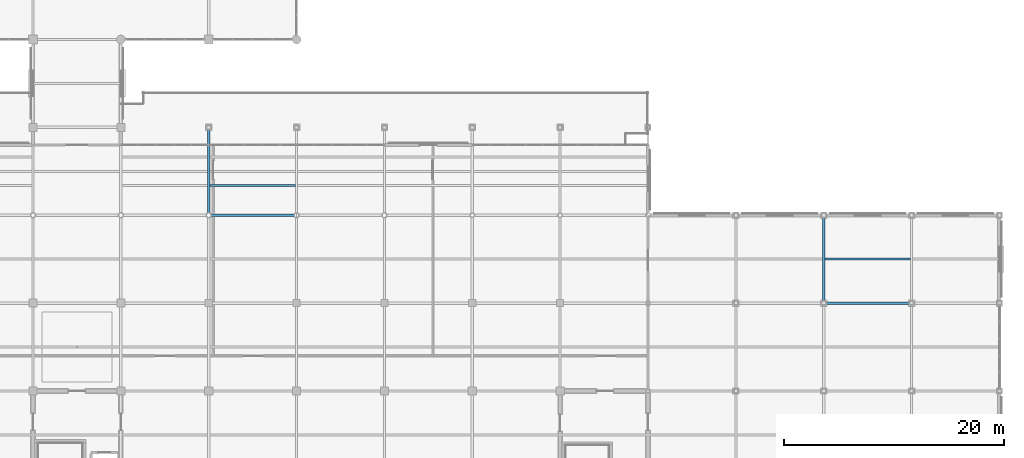
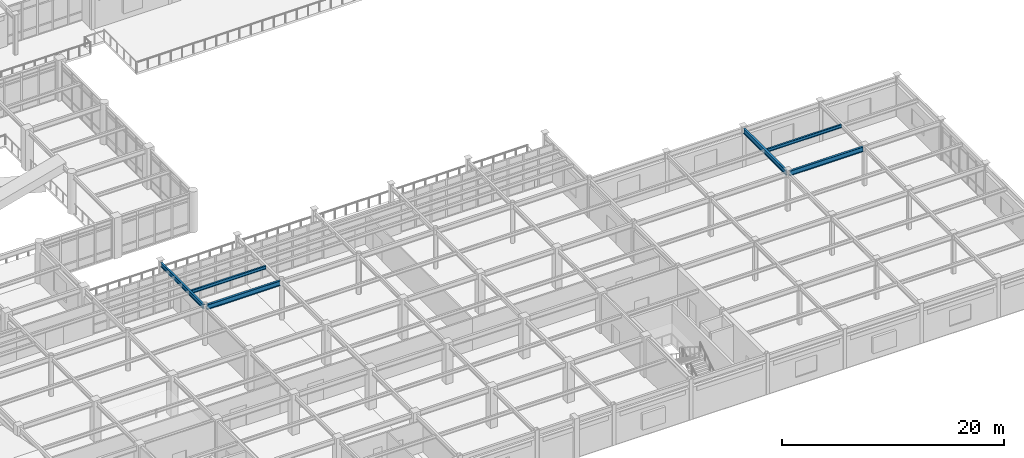
# One storey, part 26 of 111: 6 beams.
"""IFC4 building model written with IfcOpenShell, lengths in metres."""

from ifc_helpers import new_model, si_unit, direction, frame, origin, origin_2d, place, context, subcontext, project, spatial, i_section, extrude, material, material_profile, profile_set, type_object, element, save


model = new_model("IFC4")

# Units and contexts
model_context = context("Model", 3, precision=1e-05, world=origin(), true_north=direction((0.0, 1.0)))
body_context = subcontext(model_context, "Body", "Model", "MODEL_VIEW")
ifc_project = project(units=[si_unit("LENGTHUNIT", "METRE"), si_unit("AREAUNIT", "SQUARE_METRE"), si_unit("VOLUMEUNIT", "CUBIC_METRE"), si_unit("PLANEANGLEUNIT", "RADIAN"), si_unit("MASSUNIT", "GRAM", prefix="KILO")], contexts=[model_context])

# Site, building, storey
site_placement = place(None, origin())
site = spatial("IfcSite", under=ifc_project, at=site_placement, CompositionType="ELEMENT")
building_placement = place(site_placement, origin())
building = spatial("IfcBuilding", under=site, at=building_placement, Name="Solmirada Galleria", CompositionType="ELEMENT")
storey_placement = place(building_placement, frame((0.0, 0.0, 10.39990234375)))
storey = spatial("IfcBuildingStorey", under=building, at=storey_placement, Name="L02", CompositionType="ELEMENT", Elevation=10.39990234375)

# Beams
ifc_material = material(Name="Steel S355 / ASTM A992 Grade 50", Category="steel")
ifc_material_profile_1 = material_profile(ifc_material, i_section(OverallWidth=0.194091796875, OverallDepth=0.468994140625, WebThickness=0.0126953125, FlangeThickness=0.0205078125, FilletRadius=0.013916015625, at=origin_2d()), Name="W18X71")
ifc_profile_set_1 = profile_set([ifc_material_profile_1], Name="Steel S355 / ASTM A992 Grade 50")
beam_type_1 = type_object("IfcBeamType", Name="BM-GIRD-W18B", PredefinedType="BEAM", material=ifc_profile_set_1)
beam_1_placement = place(storey_placement, frame((104.0, 32.19189453125, 4.025634765625), z_axis=(0.0, 1.0, 0.0), x_axis=(-1.0, 0.0, 0.0)))
element("IfcBeam", 1, at=beam_1_placement, inside=storey, type_object=beam_type_1, Name="Primary girder L03 Y(104, 32..40)", PredefinedType="BEAM", context=body_context, shape_type="SweptSolid", body=[
    extrude(i_section(OverallWidth=0.194091796875, OverallDepth=0.468994140625, WebThickness=0.0126953125, FlangeThickness=0.0205078125, FilletRadius=0.013916015625, at=origin_2d()), origin(), (0.0, 0.0, 1.0), 7.630126953125),
])
ifc_material_profile_2 = material_profile(ifc_material, i_section(OverallWidth=0.214111328125, OverallDepth=0.549072265625, WebThickness=0.0146484375, FlangeThickness=0.023681640625, FilletRadius=0.014892578125, at=origin_2d()), Name="W21X93")
ifc_profile_set_2 = profile_set([ifc_material_profile_2], Name="Steel S355 / ASTM A992 Grade 50")
beam_type_2 = type_object("IfcBeamType", Name="BM-GIRD-W21A", PredefinedType="BEAM", material=ifc_profile_set_2)
beam_2_placement = place(storey_placement, frame((104.19189453125, 32.0, 4.025634765625), z_axis=(1.0, 0.0, 0.0), x_axis=(0.0, 1.0, 0.0)))
element("IfcBeam", 2, at=beam_2_placement, inside=storey, type_object=beam_type_2, Name="Primary beam L03 X(104..112, 32)", PredefinedType="BEAM", context=body_context, shape_type="SweptSolid", body=[
    extrude(i_section(OverallWidth=0.214111328125, OverallDepth=0.549072265625, WebThickness=0.0146484375, FlangeThickness=0.023681640625, FilletRadius=0.014892578125, at=origin_2d()), origin(), (0.0, 0.0, 1.0), 7.6162109375),
])
ifc_material_profile_3 = material_profile(ifc_material, i_section(OverallWidth=0.2099609375, OverallDepth=0.537109375, WebThickness=0.010986328125, FlangeThickness=0.017333984375, FilletRadius=0.014892578125, at=origin_2d()), Name="W21X68")
ifc_profile_set_3 = profile_set([ifc_material_profile_3], Name="Steel S355 / ASTM A992 Grade 50")
beam_type_3 = type_object("IfcBeamType", Name="BM-GIRD-W21B", PredefinedType="BEAM", material=ifc_profile_set_3)
for number, where, z_axis, x_axis, name in (
    (3, (160.177978515625, 24.0, 3.99169921875), (1.0, 0.0, 0.0), (0.0, 1.0, 0.0), "Primary beam L03 X(160..168, 24)"),
    (4, (160.0, 24.177978515625, 3.99169921875), (0.0, 1.0, 0.0), (-1.0, 0.0, 0.0), "Primary girder L03 Y(160, 24..32)"),
):
    element("IfcBeam", number, at=place(storey_placement, frame(where, z_axis=z_axis, x_axis=x_axis)), inside=storey, type_object=beam_type_3, Name=name, PredefinedType="BEAM", context=body_context, shape_type="SweptSolid", body=[
        extrude(i_section(OverallWidth=0.2099609375, OverallDepth=0.537109375, WebThickness=0.010986328125, FlangeThickness=0.017333984375, FilletRadius=0.014892578125, at=origin_2d()), origin(), (0.0, 0.0, 1.0), 7.64404296875),
    ])
ifc_material_profile_4 = material_profile(ifc_material, i_section(OverallWidth=0.172119140625, OverallDepth=0.35791015625, WebThickness=0.0078125, FlangeThickness=0.01318359375, FilletRadius=0.011962890625, at=origin_2d()), Name="W14X38")
ifc_profile_set_4 = profile_set([ifc_material_profile_4], Name="Steel S355 / ASTM A992 Grade 50")
beam_type_4 = type_object("IfcBeamType", Name="BM-JST-W14A", PredefinedType="JOIST", material=ifc_profile_set_4)
beam_3_placement = place(storey_placement, frame((160.10498046875, 28.0, 4.0810546875), z_axis=(1.0, 0.0, 0.0), x_axis=(0.0, 1.0, 0.0)))
element("IfcBeam", 5, at=beam_3_placement, inside=storey, type_object=beam_type_4, Name="Composite floor joist L03 (160..168, 28.0)", PredefinedType="JOIST", context=body_context, shape_type="SweptSolid", body=[
    extrude(i_section(OverallWidth=0.172119140625, OverallDepth=0.35791015625, WebThickness=0.0078125, FlangeThickness=0.01318359375, FilletRadius=0.011962890625, at=origin_2d()), origin(), (0.0, 0.0, 1.0), 7.798095703125),
])
ifc_material_profile_5 = material_profile(ifc_material, i_section(OverallWidth=0.1708984375, OverallDepth=0.35205078125, WebThickness=0.0068359375, FlangeThickness=0.009765625, FilletRadius=0.010986328125, at=origin_2d()), Name="W14X30")
ifc_profile_set_5 = profile_set([ifc_material_profile_5], Name="Steel S355 / ASTM A992 Grade 50")
beam_type_5 = type_object("IfcBeamType", Name="BM-JST-W14B", PredefinedType="JOIST", material=ifc_profile_set_5)
beam_4_placement = place(storey_placement, frame((104.096923828125, 34.699951171875, 4.083984375), z_axis=(1.0, 0.0, 0.0), x_axis=(0.0, 1.0, 0.0)))
element("IfcBeam", 6, at=beam_4_placement, inside=storey, type_object=beam_type_5, Name="Terrace deck joist L03-TERR-SE X=104..112 (1)", PredefinedType="JOIST", context=body_context, shape_type="SweptSolid", body=[
    extrude(i_section(OverallWidth=0.1708984375, OverallDepth=0.35205078125, WebThickness=0.0068359375, FlangeThickness=0.009765625, FilletRadius=0.010986328125, at=origin_2d()), origin(), (0.0, 0.0, 1.0), 7.798095703125),
])

save(model, "model.ifc")
